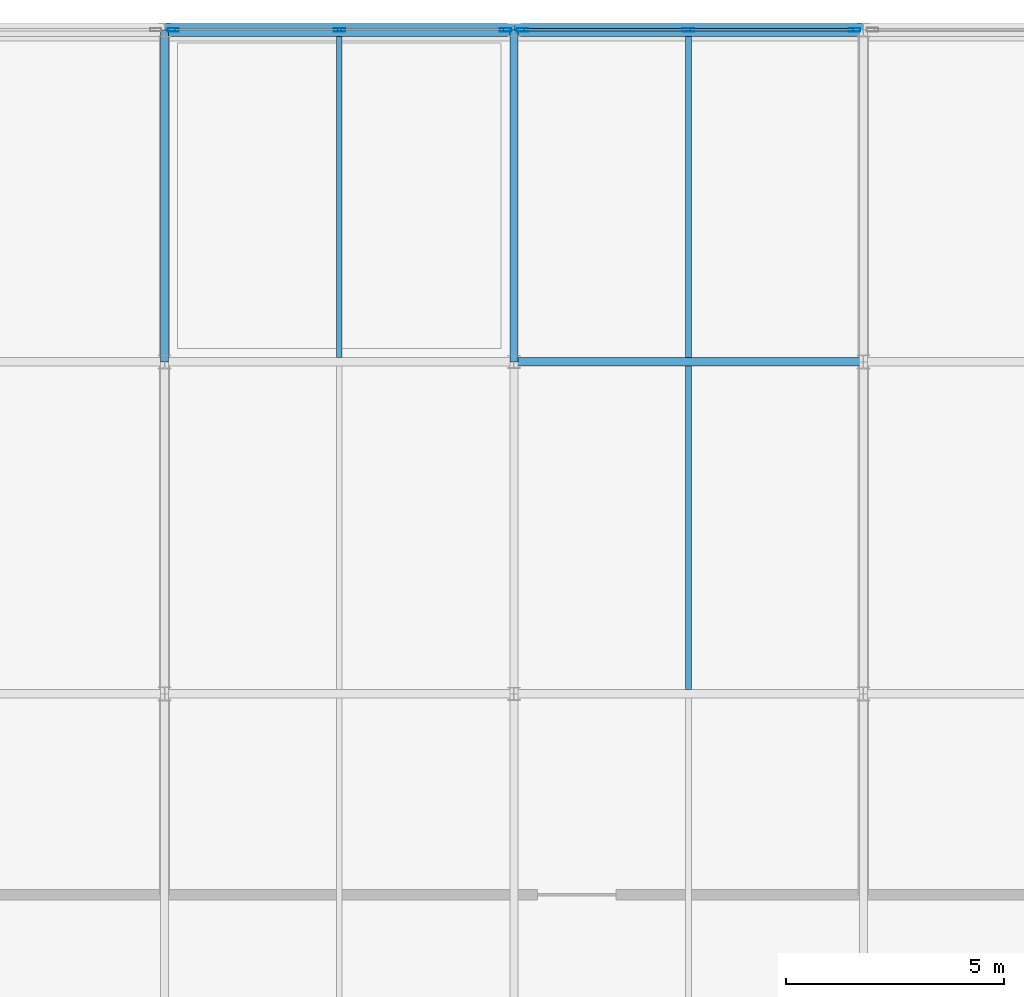
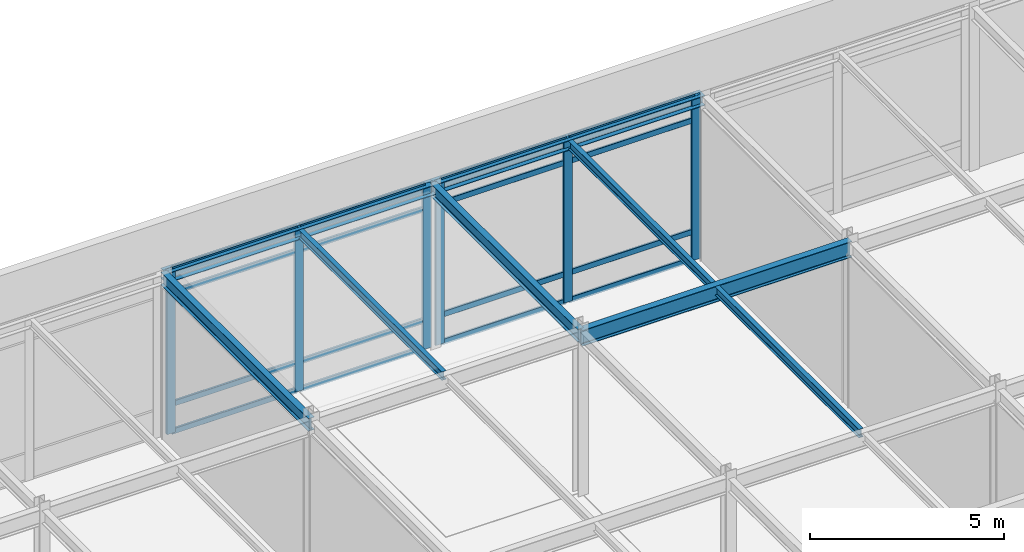
# One storey, part 5 of 12: 22 members, 8 beams, 2 elements without a shape of their own.
"""IFC4 building model written with IfcOpenShell, lengths in metres."""

from ifc_helpers import new_model, si_unit, direction, frame, origin, origin_2d, place, context, subcontext, project, spatial, hollow_rectangle, i_section, extrude, material, layer, layer_set, material_profile, profile_set, type_object, element, aggregate, save


model = new_model("IFC4")

# Units and contexts
model_context = context("Model", 3, precision=1e-05, world=origin(), true_north=direction((0.0, 1.0)))
body_context = subcontext(model_context, "Body", "Model", "MODEL_VIEW")
ifc_project = project(units=[si_unit("LENGTHUNIT", "METRE"), si_unit("AREAUNIT", "SQUARE_METRE"), si_unit("VOLUMEUNIT", "CUBIC_METRE"), si_unit("PLANEANGLEUNIT", "RADIAN"), si_unit("MASSUNIT", "GRAM", prefix="KILO")], contexts=[model_context])

# Site, building, storey
site_placement = place(None, origin())
site = spatial("IfcSite", under=ifc_project, at=site_placement, CompositionType="ELEMENT")
building_placement = place(site_placement, origin())
building = spatial("IfcBuilding", under=site, at=building_placement, Name="Shalkamar Park Central Library", CompositionType="ELEMENT")
storey_placement = place(building_placement, frame((0.0, 0.0, 72.300048828125)))
storey = spatial("IfcBuildingStorey", under=building, at=storey_placement, Name="L18", CompositionType="ELEMENT", Elevation=72.300048828125)

# Beams
ifc_material_1 = material(Name="Steel S355", Category="steel")
ifc_material_profile_1 = material_profile(ifc_material_1, i_section(OverallWidth=0.135009765625, OverallDepth=0.27001953125, WebThickness=0.006591796875, FlangeThickness=0.01025390625, FilletRadius=0.014892578125, at=origin_2d()), Name="IPE 270")
ifc_profile_set_1 = profile_set([ifc_material_profile_1], Name="Steel S355")
beam_type_1 = type_object("IfcBeamType", Name="Composite Floor Joist IPE270", PredefinedType="JOIST", material=ifc_profile_set_1)
beam_1_placement = place(storey_placement, frame((185.0, 270.498046875, 5.014892578125), z_axis=(0.0, 1.0, 0.0), x_axis=(-1.0, 0.0, 0.0)))
element("IfcBeam", 1, at=beam_1_placement, inside=storey, type_object=beam_type_1, Name="Composite Joist 09/E-1 (L18)", PredefinedType="JOIST", context=body_context, shape_type="SweptSolid", body=[
    extrude(i_section(OverallWidth=0.135009765625, OverallDepth=0.27001953125, WebThickness=0.006591796875, FlangeThickness=0.01025390625, FilletRadius=0.014892578125, at=origin_2d()), origin(), (0.0, 0.0, 1.0), 7.35400390625),
])
beam_2_placement = place(storey_placement, frame((193.0, 262.89794921875, 5.014892578125), z_axis=(0.0, 1.0, 0.0), x_axis=(-1.0, 0.0, 0.0)))
element("IfcBeam", 2, at=beam_2_placement, inside=storey, type_object=beam_type_1, Name="Composite Joist 10/D-1 (L18)", PredefinedType="JOIST", context=body_context, shape_type="SweptSolid", body=[
    extrude(i_section(OverallWidth=0.135009765625, OverallDepth=0.27001953125, WebThickness=0.006591796875, FlangeThickness=0.01025390625, FilletRadius=0.014892578125, at=origin_2d()), origin(), (0.0, 0.0, 1.0), 7.404052734375),
])
beam_3_placement = place(storey_placement, frame((193.0, 270.498046875, 5.014892578125), z_axis=(0.0, 1.0, 0.0), x_axis=(-1.0, 0.0, 0.0)))
element("IfcBeam", 3, at=beam_3_placement, inside=storey, type_object=beam_type_1, Name="Composite Joist 10/E-1 (L18)", PredefinedType="JOIST", context=body_context, shape_type="SweptSolid", body=[
    extrude(i_section(OverallWidth=0.135009765625, OverallDepth=0.27001953125, WebThickness=0.006591796875, FlangeThickness=0.01025390625, FilletRadius=0.014892578125, at=origin_2d()), origin(), (0.0, 0.0, 1.0), 7.35400390625),
])

# Curtain wall, members
ifc_material_2 = material(Name="Thermally broken aluminium and triple low-e curtain wall", Category="aluminium")
ifc_layer_1 = layer(ifc_material_2, 0.2548828125)
ifc_layer_set_1 = layer_set([ifc_layer_1], Name="UnitisedCurtainWall_112")
curtain_wall_type_1 = type_object("IfcCurtainWallType", Name="Unitised Curtain Wall 112", PredefinedType="USERDEFINED", material=ifc_layer_set_1)
curtain_wall_1_placement = place(storey_placement, origin())
curtain_wall_1 = element("IfcCurtainWall", 4, at=curtain_wall_1_placement, inside=storey, type_object=curtain_wall_type_1, Name="Unitised Curtain Wall CW-L18-169", ObjectType="UNITISED CURTAIN WALL", PredefinedType="USERDEFINED")
ifc_material_3 = material(Name="Aluminium 6060-T66", Category="aluminium")
ifc_material_profile_2 = material_profile(ifc_material_3, hollow_rectangle(XDim=0.080078125, YDim=0.2548828125, WallThickness=0.00439453125, InnerFilletRadius=0.00439453125, OuterFilletRadius=0.0068359375, at=origin_2d()), Name="ALU 80x255x4.5")
ifc_profile_set_2 = profile_set([ifc_material_profile_2], Name="Aluminium 6060-T66")
member_type_1 = type_object("IfcMemberType", Name="Curtain Wall Mullion ALU80x255", PredefinedType="MULLION", material=ifc_profile_set_2)
member_1_placement = place(storey_placement, frame((181.2041015625, 278.0, 0.0), z_axis=(0.0, 0.0, 1.0), x_axis=(0.0, 1.0, 0.0)))
member_1 = element("IfcMember", 5, at=member_1_placement, type_object=member_type_1, Name="CW-112 mullion 1", PredefinedType="MULLION", context=body_context, shape_type="SweptSolid", body=[
    extrude(hollow_rectangle(XDim=0.080078125, YDim=0.2548828125, WallThickness=0.00439453125, InnerFilletRadius=0.00439453125, OuterFilletRadius=0.0068359375, at=origin_2d()), origin(), (0.0, 0.0, 1.0), 5.14990234375),
])
member_2_placement = place(storey_placement, frame((185.0048828125, 278.0, 0.0), z_axis=(0.0, 0.0, 1.0), x_axis=(0.0, 1.0, 0.0)))
member_2 = element("IfcMember", 6, at=member_2_placement, type_object=member_type_1, Name="CW-112 mullion 2", PredefinedType="MULLION", context=body_context, shape_type="SweptSolid", body=[
    extrude(hollow_rectangle(XDim=0.080078125, YDim=0.2548828125, WallThickness=0.00439453125, InnerFilletRadius=0.00439453125, OuterFilletRadius=0.0068359375, at=origin_2d()), origin(), (0.0, 0.0, 1.0), 5.14990234375),
])
member_3_placement = place(storey_placement, frame((188.805908203125, 278.0, 0.0), z_axis=(0.0, 0.0, 1.0), x_axis=(0.0, 1.0, 0.0)))
member_3 = element("IfcMember", 7, at=member_3_placement, type_object=member_type_1, Name="CW-112 mullion 3", PredefinedType="MULLION", context=body_context, shape_type="SweptSolid", body=[
    extrude(hollow_rectangle(XDim=0.080078125, YDim=0.2548828125, WallThickness=0.00439453125, InnerFilletRadius=0.00439453125, OuterFilletRadius=0.0068359375, at=origin_2d()), origin(), (0.0, 0.0, 1.0), 5.14990234375),
])

ifc_layer_2 = layer(ifc_material_2, 0.27001953125)
ifc_layer_set_2 = layer_set([ifc_layer_2], Name="UnitisedCurtainWall_113")
curtain_wall_type_2 = type_object("IfcCurtainWallType", Name="Unitised Curtain Wall 113", PredefinedType="USERDEFINED", material=ifc_layer_set_2)
curtain_wall_2_placement = place(storey_placement, origin())
curtain_wall_2 = element("IfcCurtainWall", 8, at=curtain_wall_2_placement, inside=storey, type_object=curtain_wall_type_2, Name="Unitised Curtain Wall CW-L18-170", ObjectType="UNITISED CURTAIN WALL", PredefinedType="USERDEFINED")
ifc_material_profile_3 = material_profile(ifc_material_3, hollow_rectangle(XDim=0.080078125, YDim=0.27001953125, WallThickness=0.0048828125, InnerFilletRadius=0.0048828125, OuterFilletRadius=0.007568359375, at=origin_2d()), Name="ALU 80x270x5")
ifc_profile_set_3 = profile_set([ifc_material_profile_3], Name="Aluminium 6060-T66")
member_type_2 = type_object("IfcMemberType", Name="Curtain Wall Mullion ALU80x270", PredefinedType="MULLION", material=ifc_profile_set_3)
member_4_placement = place(storey_placement, frame((189.194091796875, 278.0, 0.0), z_axis=(0.0, 0.0, 1.0), x_axis=(0.0, 1.0, 0.0)))
member_4 = element("IfcMember", 9, at=member_4_placement, type_object=member_type_2, Name="CW-113 mullion 1", PredefinedType="MULLION", context=body_context, shape_type="SweptSolid", body=[
    extrude(hollow_rectangle(XDim=0.080078125, YDim=0.27001953125, WallThickness=0.0048828125, InnerFilletRadius=0.0048828125, OuterFilletRadius=0.007568359375, at=origin_2d()), origin(), (0.0, 0.0, 1.0), 5.14990234375),
])
member_5_placement = place(storey_placement, frame((192.9951171875, 278.0, 0.0), z_axis=(0.0, 0.0, 1.0), x_axis=(0.0, 1.0, 0.0)))
member_5 = element("IfcMember", 10, at=member_5_placement, type_object=member_type_2, Name="CW-113 mullion 2", PredefinedType="MULLION", context=body_context, shape_type="SweptSolid", body=[
    extrude(hollow_rectangle(XDim=0.080078125, YDim=0.27001953125, WallThickness=0.0048828125, InnerFilletRadius=0.0048828125, OuterFilletRadius=0.007568359375, at=origin_2d()), origin(), (0.0, 0.0, 1.0), 5.14990234375),
])
member_6_placement = place(storey_placement, frame((196.7958984375, 278.0, 0.0), z_axis=(0.0, 0.0, 1.0), x_axis=(0.0, 1.0, 0.0)))
member_6 = element("IfcMember", 11, at=member_6_placement, type_object=member_type_2, Name="CW-113 mullion 3", PredefinedType="MULLION", context=body_context, shape_type="SweptSolid", body=[
    extrude(hollow_rectangle(XDim=0.080078125, YDim=0.27001953125, WallThickness=0.0048828125, InnerFilletRadius=0.0048828125, OuterFilletRadius=0.007568359375, at=origin_2d()), origin(), (0.0, 0.0, 1.0), 5.14990234375),
])

# Member
ifc_material_profile_4 = material_profile(ifc_material_3, hollow_rectangle(XDim=0.06494140625, YDim=0.169921875, WallThickness=0.00390625, InnerFilletRadius=0.00390625, OuterFilletRadius=0.006103515625, at=origin_2d()), Name="ALU 65x170x4")
ifc_profile_set_4 = profile_set([ifc_material_profile_4], Name="Aluminium 6060-T66")
member_type_3 = type_object("IfcMemberType", Name="Curtain Wall Transom ALU65x170", PredefinedType="USERDEFINED", material=ifc_profile_set_4)
member_7_placement = place(storey_placement, frame((181.243896484375, 278.0, 0.032470703125), z_axis=(1.0, 0.0, 0.0), x_axis=(0.0, 1.0, 0.0)))
member_7 = element("IfcMember", 12, at=member_7_placement, type_object=member_type_3, Name="CW-112 transom 1.1", ObjectType="TRANSOM", PredefinedType="USERDEFINED", context=body_context, shape_type="SweptSolid", body=[
    extrude(hollow_rectangle(XDim=0.06494140625, YDim=0.169921875, WallThickness=0.00390625, InnerFilletRadius=0.00390625, OuterFilletRadius=0.006103515625, at=origin_2d()), origin(), (0.0, 0.0, 1.0), 3.72119140625),
])

member_8_placement = place(storey_placement, frame((181.243896484375, 278.0, 0.89990234375), z_axis=(1.0, 0.0, 0.0), x_axis=(0.0, 1.0, 0.0)))
member_8 = element("IfcMember", 13, at=member_8_placement, type_object=member_type_3, Name="CW-112 transom 1.2", ObjectType="TRANSOM", PredefinedType="USERDEFINED", context=body_context, shape_type="SweptSolid", body=[
    extrude(hollow_rectangle(XDim=0.06494140625, YDim=0.169921875, WallThickness=0.00390625, InnerFilletRadius=0.00390625, OuterFilletRadius=0.006103515625, at=origin_2d()), origin(), (0.0, 0.0, 1.0), 3.72119140625),
])

member_9_placement = place(storey_placement, frame((181.243896484375, 278.0, 4.39990234375), z_axis=(1.0, 0.0, 0.0), x_axis=(0.0, 1.0, 0.0)))
member_9 = element("IfcMember", 14, at=member_9_placement, type_object=member_type_3, Name="CW-112 transom 1.3", ObjectType="TRANSOM", PredefinedType="USERDEFINED", context=body_context, shape_type="SweptSolid", body=[
    extrude(hollow_rectangle(XDim=0.06494140625, YDim=0.169921875, WallThickness=0.00390625, InnerFilletRadius=0.00390625, OuterFilletRadius=0.006103515625, at=origin_2d()), origin(), (0.0, 0.0, 1.0), 3.72119140625),
])

member_10_placement = place(storey_placement, frame((181.243896484375, 278.0, 5.117431640625), z_axis=(1.0, 0.0, 0.0), x_axis=(0.0, 1.0, 0.0)))
member_10 = element("IfcMember", 15, at=member_10_placement, type_object=member_type_3, Name="CW-112 transom 1.4", ObjectType="TRANSOM", PredefinedType="USERDEFINED", context=body_context, shape_type="SweptSolid", body=[
    extrude(hollow_rectangle(XDim=0.06494140625, YDim=0.169921875, WallThickness=0.00390625, InnerFilletRadius=0.00390625, OuterFilletRadius=0.006103515625, at=origin_2d()), origin(), (0.0, 0.0, 1.0), 3.72119140625),
])

member_11_placement = place(storey_placement, frame((185.044921875, 278.0, 0.032470703125), z_axis=(1.0, 0.0, 0.0), x_axis=(0.0, 1.0, 0.0)))
member_11 = element("IfcMember", 16, at=member_11_placement, type_object=member_type_3, Name="CW-112 transom 2.1", ObjectType="TRANSOM", PredefinedType="USERDEFINED", context=body_context, shape_type="SweptSolid", body=[
    extrude(hollow_rectangle(XDim=0.06494140625, YDim=0.169921875, WallThickness=0.00390625, InnerFilletRadius=0.00390625, OuterFilletRadius=0.006103515625, at=origin_2d()), origin(), (0.0, 0.0, 1.0), 3.72119140625),
])

member_12_placement = place(storey_placement, frame((185.044921875, 278.0, 0.89990234375), z_axis=(1.0, 0.0, 0.0), x_axis=(0.0, 1.0, 0.0)))
member_12 = element("IfcMember", 17, at=member_12_placement, type_object=member_type_3, Name="CW-112 transom 2.2", ObjectType="TRANSOM", PredefinedType="USERDEFINED", context=body_context, shape_type="SweptSolid", body=[
    extrude(hollow_rectangle(XDim=0.06494140625, YDim=0.169921875, WallThickness=0.00390625, InnerFilletRadius=0.00390625, OuterFilletRadius=0.006103515625, at=origin_2d()), origin(), (0.0, 0.0, 1.0), 3.72119140625),
])

member_13_placement = place(storey_placement, frame((185.044921875, 278.0, 4.39990234375), z_axis=(1.0, 0.0, 0.0), x_axis=(0.0, 1.0, 0.0)))
member_13 = element("IfcMember", 18, at=member_13_placement, type_object=member_type_3, Name="CW-112 transom 2.3", ObjectType="TRANSOM", PredefinedType="USERDEFINED", context=body_context, shape_type="SweptSolid", body=[
    extrude(hollow_rectangle(XDim=0.06494140625, YDim=0.169921875, WallThickness=0.00390625, InnerFilletRadius=0.00390625, OuterFilletRadius=0.006103515625, at=origin_2d()), origin(), (0.0, 0.0, 1.0), 3.72119140625),
])

member_14_placement = place(storey_placement, frame((185.044921875, 278.0, 5.117431640625), z_axis=(1.0, 0.0, 0.0), x_axis=(0.0, 1.0, 0.0)))
member_14 = element("IfcMember", 19, at=member_14_placement, type_object=member_type_3, Name="CW-112 transom 2.4", ObjectType="TRANSOM", PredefinedType="USERDEFINED", context=body_context, shape_type="SweptSolid", body=[
    extrude(hollow_rectangle(XDim=0.06494140625, YDim=0.169921875, WallThickness=0.00390625, InnerFilletRadius=0.00390625, OuterFilletRadius=0.006103515625, at=origin_2d()), origin(), (0.0, 0.0, 1.0), 3.72119140625),
])

aggregate(curtain_wall_1, [member_1, member_2, member_3, member_7, member_8, member_9, member_10, member_11, member_12, member_13, member_14])

ifc_material_profile_5 = material_profile(ifc_material_3, hollow_rectangle(XDim=0.06494140625, YDim=0.175048828125, WallThickness=0.00439453125, InnerFilletRadius=0.00439453125, OuterFilletRadius=0.0068359375, at=origin_2d()), Name="ALU 65x175x4.5")
ifc_profile_set_5 = profile_set([ifc_material_profile_5], Name="Aluminium 6060-T66")
member_type_4 = type_object("IfcMemberType", Name="Curtain Wall Transom ALU65x175", PredefinedType="USERDEFINED", material=ifc_profile_set_5)
member_15_placement = place(storey_placement, frame((189.23388671875, 278.0, 0.032470703125), z_axis=(1.0, 0.0, 0.0), x_axis=(0.0, 1.0, 0.0)))
member_15 = element("IfcMember", 20, at=member_15_placement, type_object=member_type_4, Name="CW-113 transom 1.1", ObjectType="TRANSOM", PredefinedType="USERDEFINED", context=body_context, shape_type="SweptSolid", body=[
    extrude(hollow_rectangle(XDim=0.06494140625, YDim=0.175048828125, WallThickness=0.00439453125, InnerFilletRadius=0.00439453125, OuterFilletRadius=0.0068359375, at=origin_2d()), origin(), (0.0, 0.0, 1.0), 3.72119140625),
])

member_16_placement = place(storey_placement, frame((189.23388671875, 278.0, 0.89990234375), z_axis=(1.0, 0.0, 0.0), x_axis=(0.0, 1.0, 0.0)))
member_16 = element("IfcMember", 21, at=member_16_placement, type_object=member_type_4, Name="CW-113 transom 1.2", ObjectType="TRANSOM", PredefinedType="USERDEFINED", context=body_context, shape_type="SweptSolid", body=[
    extrude(hollow_rectangle(XDim=0.06494140625, YDim=0.175048828125, WallThickness=0.00439453125, InnerFilletRadius=0.00439453125, OuterFilletRadius=0.0068359375, at=origin_2d()), origin(), (0.0, 0.0, 1.0), 3.72119140625),
])

member_17_placement = place(storey_placement, frame((189.23388671875, 278.0, 4.39990234375), z_axis=(1.0, 0.0, 0.0), x_axis=(0.0, 1.0, 0.0)))
member_17 = element("IfcMember", 22, at=member_17_placement, type_object=member_type_4, Name="CW-113 transom 1.3", ObjectType="TRANSOM", PredefinedType="USERDEFINED", context=body_context, shape_type="SweptSolid", body=[
    extrude(hollow_rectangle(XDim=0.06494140625, YDim=0.175048828125, WallThickness=0.00439453125, InnerFilletRadius=0.00439453125, OuterFilletRadius=0.0068359375, at=origin_2d()), origin(), (0.0, 0.0, 1.0), 3.72119140625),
])

member_18_placement = place(storey_placement, frame((189.23388671875, 278.0, 5.117431640625), z_axis=(1.0, 0.0, 0.0), x_axis=(0.0, 1.0, 0.0)))
member_18 = element("IfcMember", 23, at=member_18_placement, type_object=member_type_4, Name="CW-113 transom 1.4", ObjectType="TRANSOM", PredefinedType="USERDEFINED", context=body_context, shape_type="SweptSolid", body=[
    extrude(hollow_rectangle(XDim=0.06494140625, YDim=0.175048828125, WallThickness=0.00439453125, InnerFilletRadius=0.00439453125, OuterFilletRadius=0.0068359375, at=origin_2d()), origin(), (0.0, 0.0, 1.0), 3.72119140625),
])

member_19_placement = place(storey_placement, frame((193.034912109375, 278.0, 0.032470703125), z_axis=(1.0, 0.0, 0.0), x_axis=(0.0, 1.0, 0.0)))
member_19 = element("IfcMember", 24, at=member_19_placement, type_object=member_type_4, Name="CW-113 transom 2.1", ObjectType="TRANSOM", PredefinedType="USERDEFINED", context=body_context, shape_type="SweptSolid", body=[
    extrude(hollow_rectangle(XDim=0.06494140625, YDim=0.175048828125, WallThickness=0.00439453125, InnerFilletRadius=0.00439453125, OuterFilletRadius=0.0068359375, at=origin_2d()), origin(), (0.0, 0.0, 1.0), 3.72119140625),
])

member_20_placement = place(storey_placement, frame((193.034912109375, 278.0, 0.89990234375), z_axis=(1.0, 0.0, 0.0), x_axis=(0.0, 1.0, 0.0)))
member_20 = element("IfcMember", 25, at=member_20_placement, type_object=member_type_4, Name="CW-113 transom 2.2", ObjectType="TRANSOM", PredefinedType="USERDEFINED", context=body_context, shape_type="SweptSolid", body=[
    extrude(hollow_rectangle(XDim=0.06494140625, YDim=0.175048828125, WallThickness=0.00439453125, InnerFilletRadius=0.00439453125, OuterFilletRadius=0.0068359375, at=origin_2d()), origin(), (0.0, 0.0, 1.0), 3.72119140625),
])

member_21_placement = place(storey_placement, frame((193.034912109375, 278.0, 4.39990234375), z_axis=(1.0, 0.0, 0.0), x_axis=(0.0, 1.0, 0.0)))
member_21 = element("IfcMember", 26, at=member_21_placement, type_object=member_type_4, Name="CW-113 transom 2.3", ObjectType="TRANSOM", PredefinedType="USERDEFINED", context=body_context, shape_type="SweptSolid", body=[
    extrude(hollow_rectangle(XDim=0.06494140625, YDim=0.175048828125, WallThickness=0.00439453125, InnerFilletRadius=0.00439453125, OuterFilletRadius=0.0068359375, at=origin_2d()), origin(), (0.0, 0.0, 1.0), 3.72119140625),
])

member_22_placement = place(storey_placement, frame((193.034912109375, 278.0, 5.117431640625), z_axis=(1.0, 0.0, 0.0), x_axis=(0.0, 1.0, 0.0)))
member_22 = element("IfcMember", 27, at=member_22_placement, type_object=member_type_4, Name="CW-113 transom 2.4", ObjectType="TRANSOM", PredefinedType="USERDEFINED", context=body_context, shape_type="SweptSolid", body=[
    extrude(hollow_rectangle(XDim=0.06494140625, YDim=0.175048828125, WallThickness=0.00439453125, InnerFilletRadius=0.00439453125, OuterFilletRadius=0.0068359375, at=origin_2d()), origin(), (0.0, 0.0, 1.0), 3.72119140625),
])

aggregate(curtain_wall_2, [member_4, member_5, member_6, member_15, member_16, member_17, member_18, member_19, member_20, member_21, member_22])

# Beams
ifc_material_profile_6 = material_profile(ifc_material_1, i_section(OverallWidth=0.300048828125, OverallDepth=0.31005859375, WebThickness=0.009033203125, FlangeThickness=0.015380859375, FilletRadius=0.027099609375, at=origin_2d()), Name="HEA 320")
ifc_profile_set_6 = profile_set([ifc_material_profile_6], Name="Steel S355")
beam_type_2 = type_object("IfcBeamType", Name="Perimeter Spandrel Beam HEA320", PredefinedType="SPANDREL", material=ifc_profile_set_6)
for number, where, z_axis, x_axis, name in (
    (28, (181.0, 278.0, 4.994873046875), (1.0, 0.0, 0.0), (0.0, 1.0, 0.0), "Beam F:09-10 (L18)"),
    (29, (189.0, 278.0, 4.994873046875), (1.0, 0.0, 0.0), (0.0, 1.0, 0.0), "Beam F:10-11 (L18)"),
):
    element("IfcBeam", number, at=place(storey_placement, frame(where, z_axis=z_axis, x_axis=x_axis)), inside=storey, type_object=beam_type_2, Name=name, PredefinedType="SPANDREL", context=body_context, shape_type="SweptSolid", body=[
        extrude(i_section(OverallWidth=0.300048828125, OverallDepth=0.31005859375, WebThickness=0.009033203125, FlangeThickness=0.015380859375, FilletRadius=0.027099609375, at=origin_2d()), origin(), (0.0, 0.0, 1.0), 8.0),
    ])
ifc_material_profile_7 = material_profile(ifc_material_1, i_section(OverallWidth=0.179931640625, OverallDepth=0.39990234375, WebThickness=0.008544921875, FlangeThickness=0.013427734375, FilletRadius=0.02099609375, at=origin_2d()), Name="IPE 400")
ifc_profile_set_7 = profile_set([ifc_material_profile_7], Name="Steel S355")
beam_type_3 = type_object("IfcBeamType", Name="Primary Girder IPE400", PredefinedType="BEAM", material=ifc_profile_set_7)
for number, where, z_axis, x_axis, name in (
    (30, (181.0, 270.39990234375, 4.949951171875), (0.0, 1.0, 0.0), (-1.0, 0.0, 0.0), "Beam 09:E-F (L18)"),
    (31, (189.0, 270.39990234375, 4.949951171875), (0.0, 1.0, 0.0), (-1.0, 0.0, 0.0), "Beam 10:E-F (L18)"),
):
    element("IfcBeam", number, at=place(storey_placement, frame(where, z_axis=z_axis, x_axis=x_axis)), inside=storey, type_object=beam_type_3, Name=name, PredefinedType="BEAM", context=body_context, shape_type="SweptSolid", body=[
        extrude(i_section(OverallWidth=0.179931640625, OverallDepth=0.39990234375, WebThickness=0.008544921875, FlangeThickness=0.013427734375, FilletRadius=0.02099609375, at=origin_2d()), origin(), (0.0, 0.0, 1.0), 7.60009765625),
    ])
ifc_material_profile_8 = material_profile(ifc_material_1, i_section(OverallWidth=0.199951171875, OverallDepth=0.5, WebThickness=0.01025390625, FlangeThickness=0.01611328125, FilletRadius=0.02099609375, at=origin_2d()), Name="IPE 500")
ifc_profile_set_8 = profile_set([ifc_material_profile_8], Name="Steel S355")
beam_type_4 = type_object("IfcBeamType", Name="Primary Girder IPE500", PredefinedType="BEAM", material=ifc_profile_set_8)
beam_4_placement = place(storey_placement, frame((189.0, 270.39990234375, 4.89990234375), z_axis=(1.0, 0.0, 0.0), x_axis=(0.0, 1.0, 0.0)))
element("IfcBeam", 32, at=beam_4_placement, inside=storey, type_object=beam_type_4, Name="Beam E:10-11 (L18)", PredefinedType="BEAM", context=body_context, shape_type="SweptSolid", body=[
    extrude(i_section(OverallWidth=0.199951171875, OverallDepth=0.5, WebThickness=0.01025390625, FlangeThickness=0.01611328125, FilletRadius=0.02099609375, at=origin_2d()), origin(), (0.0, 0.0, 1.0), 8.0),
])

save(model, "model.ifc")
